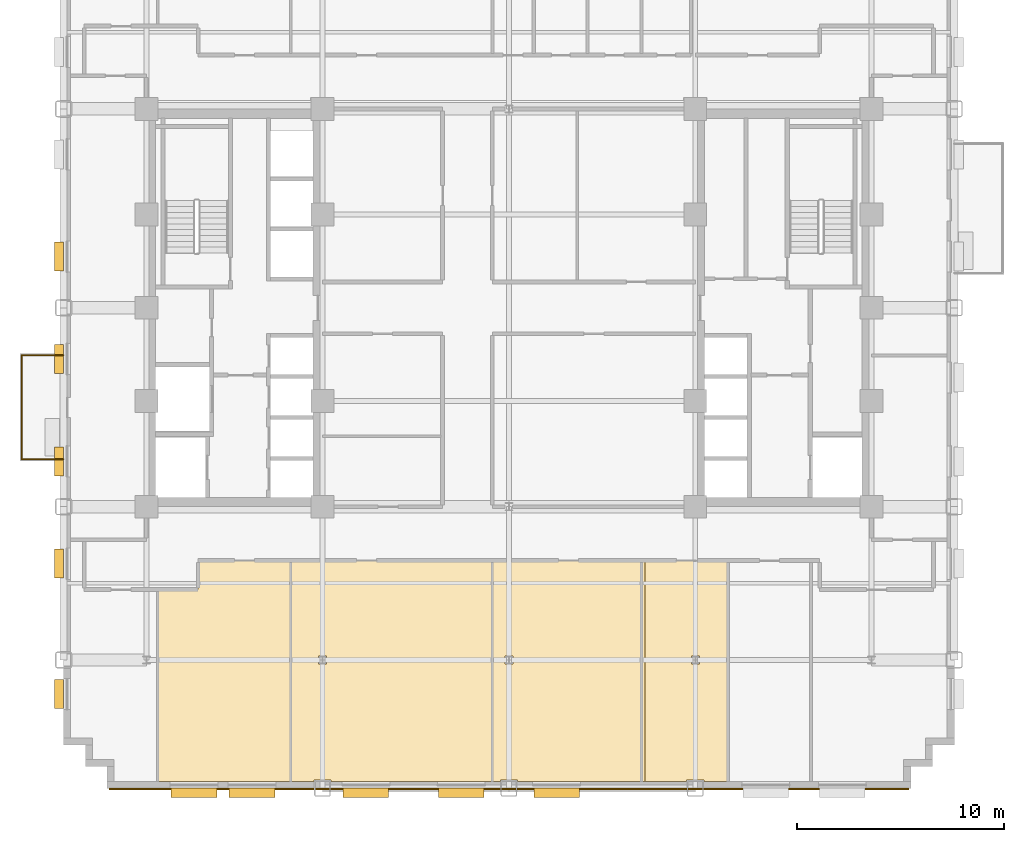
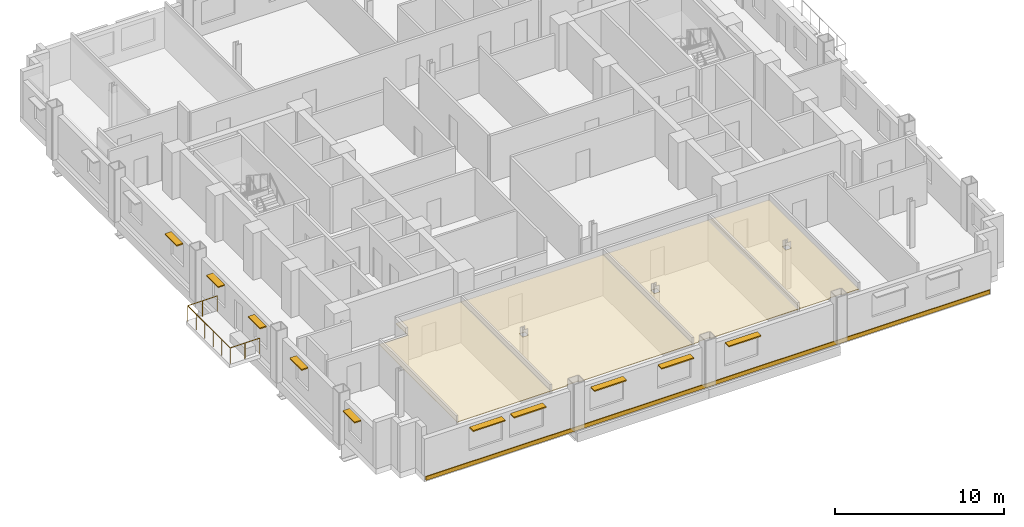
# One storey, part 11 of 14: 10 shading devices, 5 coverings, 1 railing.
"""IFC4 building model written with IfcOpenShell, lengths in metres."""

from ifc_helpers import new_model, si_unit, direction, frame, origin, origin_2d, place, context, subcontext, project, spatial, polyline, rectangle, circle, outline, extrude, source, transform, mapped, material, layer, layer_set, type_object, type_shapes, element, save


model = new_model("IFC4")

# Units and contexts
model_context = context("Model", 3, precision=1e-05, world=origin(), true_north=direction((0.0, 1.0)))
body_context = subcontext(model_context, "Body", "Model", "MODEL_VIEW")
ifc_project = project(units=[si_unit("LENGTHUNIT", "METRE"), si_unit("AREAUNIT", "SQUARE_METRE"), si_unit("VOLUMEUNIT", "CUBIC_METRE"), si_unit("PLANEANGLEUNIT", "RADIAN"), si_unit("MASSUNIT", "GRAM", prefix="KILO")], contexts=[model_context])

# Site, building, storey
site_placement = place(None, origin())
site = spatial("IfcSite", under=ifc_project, at=site_placement, CompositionType="ELEMENT")
building_placement = place(site_placement, origin())
building = spatial("IfcBuilding", under=site, at=building_placement, Name="Nuvemarco Arch Tower", CompositionType="ELEMENT")
storey_placement = place(building_placement, frame((0.0, 0.0, 56.800048828125)))
storey = spatial("IfcBuildingStorey", under=building, at=storey_placement, Name="L14", CompositionType="ELEMENT", Elevation=56.800048828125)

# Coverings
ifc_material_1 = material(Name="Mineral acoustic ceiling tile")
ifc_layer_1 = layer(ifc_material_1, 0.0400390625, Name="COV-ACOUSTIC-CLG")
ifc_layer_set_1 = layer_set([ifc_layer_1], Name="Mineral acoustic ceiling tile")
covering_type_1 = type_object("IfcCoveringType", Name="COV-ACOUSTIC-CLG", PredefinedType="CEILING", material=ifc_layer_set_1)
covering_1_placement = place(storey_placement, frame((0.0, 0.0, 2.849853515625)))
element("IfcCovering", 1, at=covering_1_placement, inside=storey, type_object=covering_type_1, Name="L14 suspended acoustic ceiling 2", PredefinedType="CEILING", context=body_context, shape_type="SweptSolid", body=[
    extrude(outline(polyline([(-0.800048828125, -22.860107421875), (-8.5849609375, -22.860107421875), (-8.5849609375, -22.784912109375), (-9.4150390625, -22.784912109375), (-9.4150390625, -22.860107421875), (-10.530029296875, -22.860107421875), (-10.530029296875, -12.199951171875), (-3.199951171875, -12.199951171875), (-0.800048828125, -12.199951171875), (-0.800048828125, -22.860107421875)]), holes=[polyline([(-8.804931640625, -17.195068359375), (-8.804931640625, -16.804931640625), (-9.195068359375, -16.804931640625), (-9.195068359375, -17.195068359375), (-8.804931640625, -17.195068359375)])]), origin(), (0.0, 0.0, 1.0), 0.0400390625),
])
covering_2_placement = place(storey_placement, frame((0.0, 0.0, 2.849853515625)))
element("IfcCovering", 2, at=covering_2_placement, inside=storey, type_object=covering_type_1, Name="L14 suspended acoustic ceiling 3", PredefinedType="CEILING", context=body_context, shape_type="SweptSolid", body=[
    extrude(outline(polyline([(0.4150390625, -22.860107421875), (0.4150390625, -22.784912109375), (-0.4150390625, -22.784912109375), (-0.4150390625, -22.860107421875), (-0.800048828125, -22.860107421875), (-0.800048828125, -12.199951171875), (6.56005859375, -12.199951171875), (6.56005859375, -22.860107421875), (0.4150390625, -22.860107421875)]), holes=[polyline([(0.195068359375, -17.195068359375), (0.195068359375, -16.804931640625), (-0.195068359375, -16.804931640625), (-0.195068359375, -17.195068359375), (0.195068359375, -17.195068359375)])]), origin(), (0.0, 0.0, 1.0), 0.0400390625),
])
covering_3_placement = place(storey_placement, frame((0.0, 0.0, 2.849853515625)))
element("IfcCovering", 3, at=covering_3_placement, inside=storey, type_object=covering_type_1, Name="L14 suspended acoustic ceiling 5", PredefinedType="CEILING", context=body_context, shape_type="SweptSolid", body=[
    extrude(outline(polyline([(-10.530029296875, -12.199951171875), (-10.530029296875, -22.860107421875), (-16.949951171875, -22.860107421875), (-16.949951171875, -13.60009765625), (-15.0, -13.60009765625), (-15.0, -12.199951171875), (-10.530029296875, -12.199951171875)])), origin(), (0.0, 0.0, 1.0), 0.0400390625),
])
covering_4_placement = place(storey_placement, frame((0.0, 0.0, 2.849853515625)))
element("IfcCovering", 4, at=covering_4_placement, inside=storey, type_object=covering_type_1, Name="L14 suspended acoustic ceiling 6", PredefinedType="CEILING", context=body_context, shape_type="SweptSolid", body=[
    extrude(outline(polyline([(9.4150390625, -22.860107421875), (9.4150390625, -22.784912109375), (8.5849609375, -22.784912109375), (8.5849609375, -22.860107421875), (6.56005859375, -22.860107421875), (6.56005859375, -12.199951171875), (10.570068359375, -12.199951171875), (10.570068359375, -22.860107421875), (9.4150390625, -22.860107421875)]), holes=[polyline([(9.195068359375, -17.195068359375), (9.195068359375, -16.804931640625), (8.804931640625, -16.804931640625), (8.804931640625, -17.195068359375), (9.195068359375, -17.195068359375)])]), origin(), (0.0, 0.0, 1.0), 0.0400390625),
])

# Railing
ifc_material_2 = material(Name="Dark anodised balustrade steel S355", Category="steel")
railing_type = type_object("IfcRailingType", Name="RL-TERR-GUARD", PredefinedType="BALUSTRADE", material=ifc_material_2)
railing_placement = place(storey_placement, frame((-21.5, -7.320068359375, 0.0)))
element("IfcRailing", 5, at=railing_placement, inside=storey, type_object=railing_type, Name="L14 tree balcony perimeter balustrade guard", PredefinedType="BALUSTRADE", context=body_context, shape_type="SweptSolid", body=[
    extrude(circle(Radius=0.02392578125, at=origin_2d()), frame((0.0, 0.0, 1.1259765625), z_axis=(-1.0, 0.0, 0.0), x_axis=(0.0, -1.0, 0.0)), (0.0, 0.0, 1.0), 2.02001953125),
    extrude(circle(Radius=0.02392578125, at=origin_2d()), frame((-2.02001953125, 0.0, 1.1259765625), z_axis=(0.0, 1.0, 0.0), x_axis=(-1.0, 0.0, 0.0)), (0.0, 0.0, 1.0), 5.0400390625),
    extrude(circle(Radius=0.02392578125, at=origin_2d()), frame((-2.02001953125, 5.0400390625, 1.1259765625), z_axis=(1.0, 0.0, 0.0), x_axis=(0.0, 1.0, 0.0)), (0.0, 0.0, 1.0), 2.02001953125),
    extrude(circle(Radius=0.02099609375, at=origin_2d()), origin(), (0.0, 0.0, 1.0), 1.101806640625),
    extrude(circle(Radius=0.02099609375, at=origin_2d()), frame((-1.010009765625, 0.0, 0.0)), (0.0, 0.0, 1.0), 1.101806640625),
    extrude(circle(Radius=0.02099609375, at=origin_2d()), frame((-2.02001953125, 0.0, 0.0)), (0.0, 0.0, 1.0), 1.101806640625),
    extrude(circle(Radius=0.02099609375, at=origin_2d()), frame((-2.02001953125, 1.008056640625, 0.0)), (0.0, 0.0, 1.0), 1.101806640625),
    extrude(circle(Radius=0.02099609375, at=origin_2d()), frame((-2.02001953125, 2.01611328125, 0.0)), (0.0, 0.0, 1.0), 1.101806640625),
    extrude(circle(Radius=0.02099609375, at=origin_2d()), frame((-2.02001953125, 3.02392578125, 0.0)), (0.0, 0.0, 1.0), 1.101806640625),
    extrude(circle(Radius=0.02099609375, at=origin_2d()), frame((-2.02001953125, 4.031982421875, 0.0)), (0.0, 0.0, 1.0), 1.101806640625),
    extrude(circle(Radius=0.02099609375, at=origin_2d()), frame((-2.02001953125, 5.0400390625, 0.0)), (0.0, 0.0, 1.0), 1.101806640625),
    extrude(circle(Radius=0.02099609375, at=origin_2d()), frame((-1.010009765625, 5.0400390625, 0.0)), (0.0, 0.0, 1.0), 1.101806640625),
    extrude(circle(Radius=0.02099609375, at=origin_2d()), frame((0.0, 5.0400390625, 0.0)), (0.0, 0.0, 1.0), 1.101806640625),
])

# Shading devices
ifc_material_3 = material(Name="Anodised aluminium 6063-T6", Category="aluminium")
shading_device_type_1 = type_object("IfcShadingDeviceType", Name="SHD-BRISE-SOLEIL", PredefinedType="USERDEFINED", material=ifc_material_3)
shared_shape_1 = source(origin(), body_context, "Body", "SweptSolid", [
    extrude(rectangle(XDim=2.199951171875, YDim=0.449951171875, at=origin_2d()), origin(), (0.0, 0.0, 1.0), 0.080078125),
])
type_shapes(shading_device_type_1, [shared_shape_1])
for number, where, z_axis, x_axis, name in (
    (6, (-15.199951171875, -23.4150390625, 2.4248046875), (0.0, 0.0, 1.0), (1.0, 0.0, 0.0), "L14 horizontal brise-soleil sunshade"),
    (7, (-12.39990234375, -23.4150390625, 2.4248046875), (0.0, 0.0, 1.0), (1.0, 0.0, 0.0), "L14 horizontal brise-soleil sunshade"),
    (8, (-6.89990234375, -23.4150390625, 2.4248046875), (0.0, 0.0, 1.0), (1.0, 0.0, 0.0), "L14 horizontal brise-soleil sunshade"),
    (9, (-2.300048828125, -23.4150390625, 2.4248046875), (0.0, 0.0, 1.0), (1.0, 0.0, 0.0), "L14 horizontal brise-soleil sunshade"),
    (10, (2.300048828125, -23.4150390625, 2.4248046875), (0.0, 0.0, 1.0), (1.0, 0.0, 0.0), "L14 horizontal brise-soleil sunshade"),
):
    element("IfcShadingDevice", number, at=place(storey_placement, frame(where, z_axis=z_axis, x_axis=x_axis)), inside=storey, type_object=shading_device_type_1, Name=name, ObjectType="SUNSHADE", PredefinedType="USERDEFINED", context=body_context, shape_type="MappedRepresentation", body=[
        mapped(shared_shape_1, transform((0.0, 0.0, 0.0), scale=1.0)),
    ])
shading_device_type_2 = type_object("IfcShadingDeviceType", Name="SHD-BRISE-NARROW", PredefinedType="USERDEFINED", material=ifc_material_3)
shared_shape_2 = source(origin(), body_context, "Body", "SweptSolid", [
    extrude(rectangle(XDim=1.39990234375, YDim=0.449951171875, at=origin_2d()), origin(), (0.0, 0.0, 1.0), 0.080078125),
])
type_shapes(shading_device_type_2, [shared_shape_2])
for number, where, z_axis, x_axis, name in (
    (11, (-21.715087890625, -18.6435546875, 2.405029296875), (0.0, 0.0, 1.0), (0.0, 1.0, 0.0), "L14 horizontal brise-soleil sunshade"),
    (12, (-21.715087890625, -12.3525390625, 2.405029296875), (0.0, 0.0, 1.0), (0.0, 1.0, 0.0), "L14 horizontal brise-soleil sunshade"),
    (13, (-21.715087890625, -7.41162109375, 2.405029296875), (0.0, 0.0, 1.0), (0.0, 1.0, 0.0), "L14 horizontal brise-soleil sunshade"),
    (14, (-21.715087890625, -2.470458984375, 2.405029296875), (0.0, 0.0, 1.0), (0.0, 1.0, 0.0), "L14 horizontal brise-soleil sunshade"),
    (15, (-21.715087890625, 2.470458984375, 2.405029296875), (0.0, 0.0, 1.0), (0.0, 1.0, 0.0), "L14 horizontal brise-soleil sunshade"),
):
    element("IfcShadingDevice", number, at=place(storey_placement, frame(where, z_axis=z_axis, x_axis=x_axis)), inside=storey, type_object=shading_device_type_2, Name=name, ObjectType="SUNSHADE", PredefinedType="USERDEFINED", context=body_context, shape_type="MappedRepresentation", body=[
        mapped(shared_shape_2, transform((0.0, 0.0, 0.0), scale=1.0)),
    ])

# Covering
ifc_material_4 = material(Name="Precast concrete C45/55", Category="concrete")
ifc_layer_2 = layer(ifc_material_4, 0.06005859375, Name="COV-SPANDREL-CLAD")
ifc_layer_set_2 = layer_set([ifc_layer_2], Name="Precast concrete C45/55")
covering_type_2 = type_object("IfcCoveringType", Name="COV-SPANDREL-CLAD", PredefinedType="CLADDING", material=ifc_layer_set_2)
shared_shape_3 = source(origin(), body_context, "Body", "SweptSolid", [
    extrude(rectangle(XDim=38.60009765625, YDim=0.06005859375, at=origin_2d()), origin(), (0.0, 0.0, 1.0), 0.280029296875),
])
type_shapes(covering_type_2, [shared_shape_3])
covering_5_placement = place(storey_placement, frame((0.0, -23.22900390625, -0.2802734375), z_axis=(0.0, 0.0, 1.0), x_axis=(1.0, 0.0, 0.0)))
element("IfcCovering", 16, at=covering_5_placement, inside=storey, type_object=covering_type_2, Name="L14 precast spandrel edge cladding south", PredefinedType="CLADDING", context=body_context, shape_type="MappedRepresentation", body=[
    mapped(shared_shape_3, transform((0.0, 0.0, 0.0), scale=1.0)),
])

save(model, "model.ifc")
